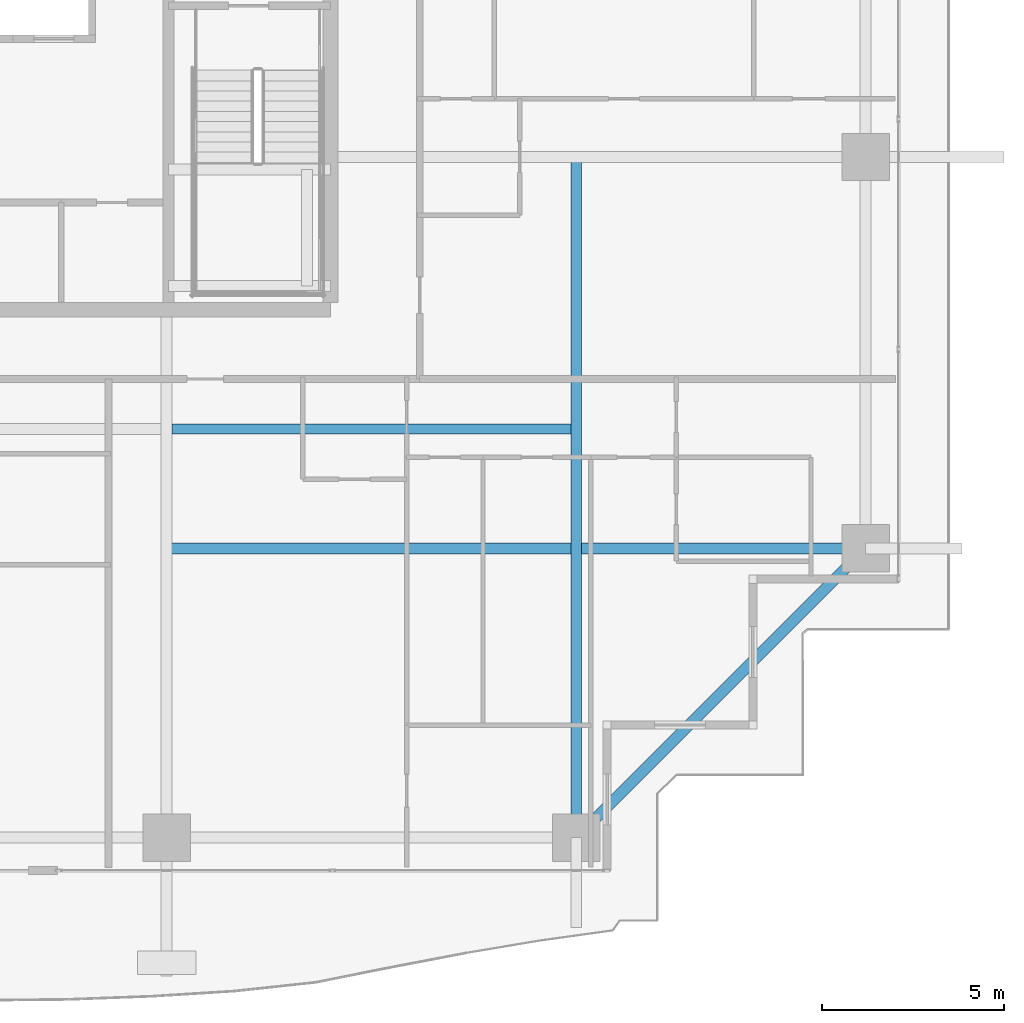
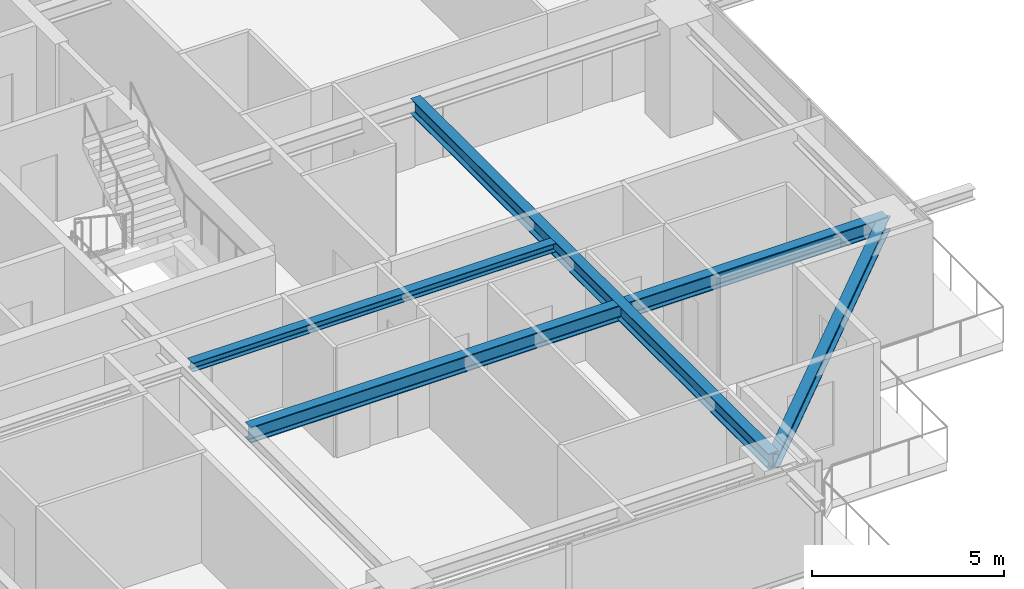
# One storey, part 12 of 35: 4 beams.
"""IFC4 building model written with IfcOpenShell, lengths in metres."""

from ifc_helpers import new_model, si_unit, direction, frame, origin, origin_2d, place, context, subcontext, project, spatial, i_section, extrude, source, transform, mapped, material, material_profile, profile_set, type_object, element, save


model = new_model("IFC4")

# Units and contexts
model_context = context("Model", 3, precision=1e-05, world=origin(), true_north=direction((0.0, 1.0)))
body_context = subcontext(model_context, "Body", "Model", "MODEL_VIEW")
ifc_project = project(units=[si_unit("LENGTHUNIT", "METRE"), si_unit("AREAUNIT", "SQUARE_METRE"), si_unit("VOLUMEUNIT", "CUBIC_METRE"), si_unit("PLANEANGLEUNIT", "RADIAN"), si_unit("MASSUNIT", "GRAM", prefix="KILO")], contexts=[model_context])

# Site, building, storey
site_placement = place(None, origin())
site = spatial("IfcSite", under=ifc_project, at=site_placement, CompositionType="ELEMENT")
building_placement = place(site_placement, origin())
building = spatial("IfcBuilding", under=site, at=building_placement, Name="Serunith Strait Residences", CompositionType="ELEMENT")
storey_placement = place(building_placement, frame((0.0, 0.0, 172.64990234375)))
storey = spatial("IfcBuildingStorey", under=building, at=storey_placement, Name="L43", CompositionType="ELEMENT", Elevation=172.64990234375)

# Beams
ifc_material = material(Name="Steel S355J2", Category="steel")
ifc_material_profile_1 = material_profile(ifc_material, i_section(OverallWidth=0.300048828125, OverallDepth=0.5, WebThickness=0.014404296875, FlangeThickness=0.028076171875, FilletRadius=0.027099609375, at=origin_2d()), Name="HEB 500")
ifc_profile_set_1 = profile_set([ifc_material_profile_1], Name="Steel S355J2")
beam_type_1 = type_object("IfcBeamType", Name="BM-HEB500", PredefinedType="BEAM", material=ifc_profile_set_1)
shared_shape_1 = source(origin(), body_context, "Body", "SweptSolid", [
    extrude(i_section(OverallWidth=0.300048828125, OverallDepth=0.5, WebThickness=0.014404296875, FlangeThickness=0.028076171875, FilletRadius=0.027099609375, at=origin_2d()), origin(), (0.0, 0.0, 1.0), 18.699951171875),
])
beam_1_placement = place(storey_placement, frame((48.14990234375, 21.0, 3.237060546875), z_axis=(0.0, -1.0, 0.0), x_axis=(1.0, 0.0, 0.0)))
element("IfcBeam", 1, at=beam_1_placement, inside=storey, type_object=beam_type_1, Name="L43 Orthogonal Corner Girder TC-S4", PredefinedType="BEAM", context=body_context, shape_type="MappedRepresentation", body=[
    mapped(shared_shape_1, transform((0.0, 0.0, 0.0), scale=1.0)),
])
shared_shape_2 = source(origin(), body_context, "Body", "SweptSolid", [
    extrude(i_section(OverallWidth=0.300048828125, OverallDepth=0.5, WebThickness=0.014404296875, FlangeThickness=0.028076171875, FilletRadius=0.027099609375, at=origin_2d()), origin(), (0.0, 0.0, 1.0), 19.2001953125),
])
beam_2_placement = place(storey_placement, frame((36.89990234375, 10.25, 3.237060546875), z_axis=(1.0, 0.0, 0.0), x_axis=(0.0, 1.0, 0.0)))
element("IfcBeam", 2, at=beam_2_placement, inside=storey, type_object=beam_type_1, Name="L43 Orthogonal Corner Girder TC-E1", PredefinedType="BEAM", context=body_context, shape_type="MappedRepresentation", body=[
    mapped(shared_shape_2, transform((0.0, 0.0, 0.0), scale=1.0)),
])
ifc_material_profile_2 = material_profile(ifc_material, i_section(OverallWidth=0.300048828125, OverallDepth=0.449951171875, WebThickness=0.013916015625, FlangeThickness=0.02587890625, FilletRadius=0.027099609375, at=origin_2d()), Name="HEB 450")
ifc_profile_set_2 = profile_set([ifc_material_profile_2], Name="Steel S355J2")
beam_type_2 = type_object("IfcBeamType", Name="BM-HEB450", PredefinedType="BEAM", material=ifc_profile_set_2)
shared_shape_3 = source(origin(), body_context, "Body", "SweptSolid", [
    extrude(i_section(OverallWidth=0.300048828125, OverallDepth=0.449951171875, WebThickness=0.013916015625, FlangeThickness=0.02587890625, FilletRadius=0.027099609375, at=origin_2d()), origin(), (0.0, 0.0, 1.0), 11.2431640625),
])
beam_3_placement = place(storey_placement, frame((48.14990234375, 2.300048828125, 3.232177734375), z_axis=(0.707117638455, 0.707095923751, 0.0), x_axis=(-0.707095923751, 0.707117638455, 0.0)))
element("IfcBeam", 3, at=beam_3_placement, inside=storey, type_object=beam_type_2, Name="L43 Perimeter Ring Beam 04", PredefinedType="BEAM", context=body_context, shape_type="MappedRepresentation", body=[
    mapped(shared_shape_3, transform((0.0, 0.0, 0.0), scale=1.0)),
])
ifc_material_profile_3 = material_profile(ifc_material, i_section(OverallWidth=0.280029296875, OverallDepth=0.280029296875, WebThickness=0.010498046875, FlangeThickness=0.01806640625, FilletRadius=0.02392578125, at=origin_2d()), Name="HEB 280")
ifc_profile_set_3 = profile_set([ifc_material_profile_3], Name="Steel S355J2")
beam_type_3 = type_object("IfcBeamType", Name="BM-HEB280", PredefinedType="JOIST", material=ifc_profile_set_3)
shared_shape_4 = source(origin(), body_context, "Body", "SweptSolid", [
    extrude(i_section(OverallWidth=0.280029296875, OverallDepth=0.280029296875, WebThickness=0.010498046875, FlangeThickness=0.01806640625, FilletRadius=0.02392578125, at=origin_2d()), origin(), (0.0, 0.0, 1.0), 10.949951171875),
])
beam_4_placement = place(storey_placement, frame((37.050048828125, 13.52490234375, 3.34716796875), z_axis=(1.0, 0.0, 0.0), x_axis=(0.0, 1.0, 0.0)))
element("IfcBeam", 4, at=beam_4_placement, inside=storey, type_object=beam_type_3, Name="L43 Composite Floor Joist 03", PredefinedType="JOIST", context=body_context, shape_type="MappedRepresentation", body=[
    mapped(shared_shape_4, transform((0.0, 0.0, 0.0), scale=1.0)),
])

save(model, "model.ifc")
